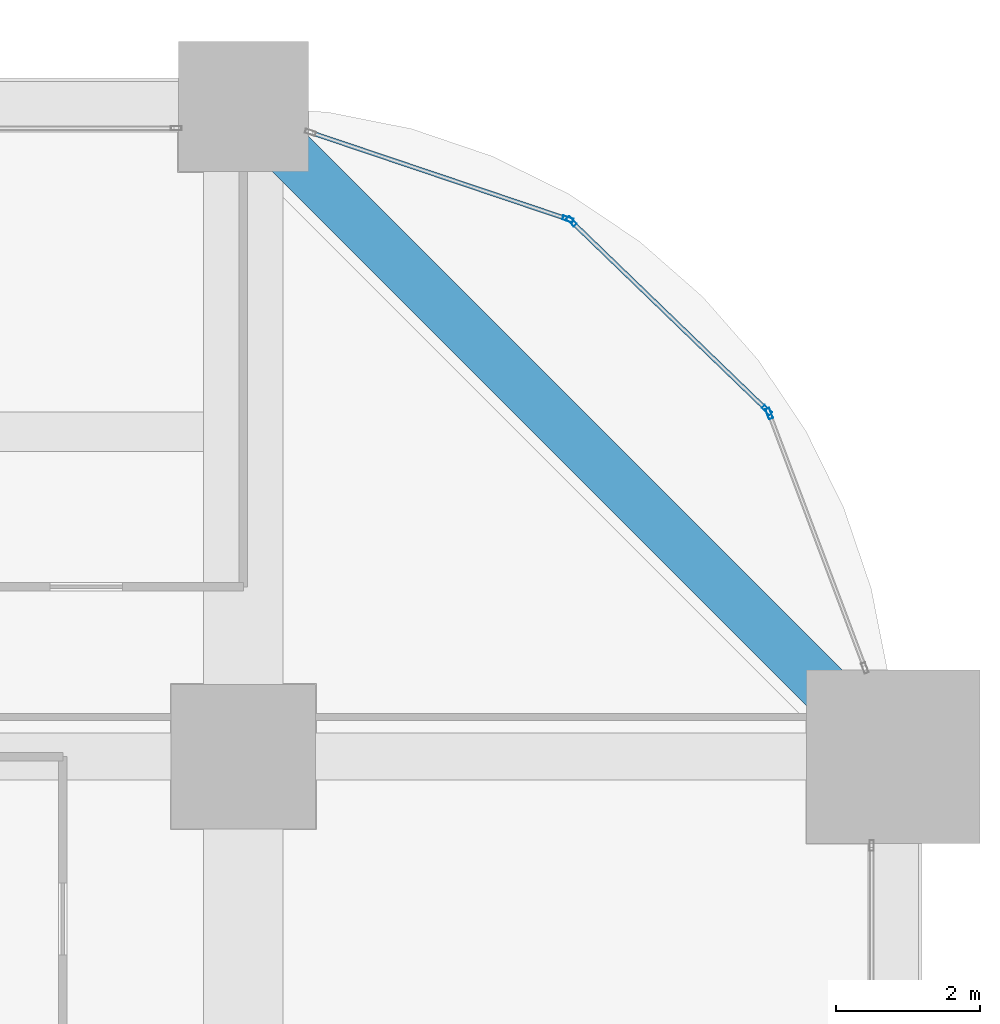
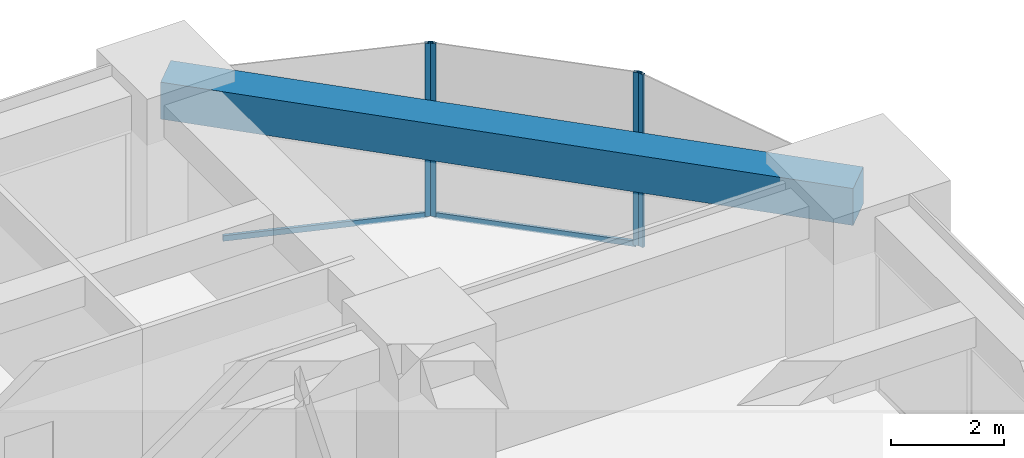
# One storey, part 34 of 40: 6 members, 1 beam, 3 elements without a shape of their own.
"""IFC4 building model written with IfcOpenShell, lengths in metres."""

import ifcopenshell
import ifcopenshell.guid

model = None  # the IFC model being written
_history = None  # IfcOwnerHistory: only IFC2X3 demands one
_inside = {}  # id of a spatial element -> (the spatial element, [elements in it])
_under = {}  # id of a project, library or spatial element -> (it, [spatial elements below it])
_declared = {}  # id of a project -> (the project, [libraries it declares])
_typed = {}  # id of a type object -> (the type object, [elements of that type])
_made_of = {}  # id of a material, layer set ... -> (it, [elements and type objects made of it])


def new_model(schema):
    """Start an empty IFC model of exactly this schema.

    Asked for "IFC4X3", IfcOpenShell would pick the latest addendum, in which some entities
    have other attributes; the version numbers below select the first issue.
    IFC2X3 requires an IfcOwnerHistory on every rooted entity: one is made here for all.
    """
    global model, _history
    if schema == "IFC4X3":
        model = ifcopenshell.file(schema_version=(4, 3, 0, 0))
    else:
        model = ifcopenshell.file(schema=schema)
    _inside.clear()
    _under.clear()
    _declared.clear()
    _typed.clear()
    _made_of.clear()
    _history = None
    if model.schema == "IFC2X3":
        org = make("IfcOrganization", Name="unknown")
        user = make(
            "IfcPersonAndOrganization",
            ThePerson=make("IfcPerson", FamilyName="unknown"),
            TheOrganization=org,
        )
        app = make(
            "IfcApplication",
            ApplicationDeveloper=org,
            Version="unknown",
            ApplicationFullName="unknown",
            ApplicationIdentifier="unknown",
        )
        _history = make(
            "IfcOwnerHistory",
            OwningUser=user,
            OwningApplication=app,
            ChangeAction="ADDED",
            CreationDate=0,
        )
    return model


def make(cls, **values):
    """One entity of the class cls with the attributes given. An attribute that is None is left unset."""
    return model.create_entity(
        cls, **{name: value for name, value in values.items() if value is not None}
    )


def rooted(cls, **values):
    """An entity with a GlobalId (a new one), such as an element, a storey or a relation."""
    return make(cls, GlobalId=ifcopenshell.guid.new(), OwnerHistory=_history, **values)


def si_unit(unit_type, name, prefix=None):
    """IfcSIUnit, for example si_unit("LENGTHUNIT", "METRE", prefix="MILLI")."""
    return make("IfcSIUnit", UnitType=unit_type, Prefix=prefix, Name=name)


def assignment(units):
    """IfcUnitAssignment: the units of a project."""
    return None if units is None else make("IfcUnitAssignment", Units=units)


def point(xyz):
    """IfcCartesianPoint."""
    return None if xyz is None else make("IfcCartesianPoint", Coordinates=xyz)


def direction(xyz):
    """IfcDirection."""
    return None if xyz is None else make("IfcDirection", DirectionRatios=xyz)


def frame(location, z_axis=None, x_axis=None):
    """IfcAxis2Placement3D, a coordinate frame: its origin and axes. An axis left out is left unset."""
    return make(
        "IfcAxis2Placement3D",
        Location=point(location),
        Axis=direction(z_axis),
        RefDirection=direction(x_axis),
    )


def frame_2d(location, x_axis=None):
    """IfcAxis2Placement2D, a coordinate frame in the plane: its origin and x axis."""
    return make(
        "IfcAxis2Placement2D", Location=point(location), RefDirection=direction(x_axis)
    )


def origin():
    """The frame at (0, 0, 0) with its axes left unset."""
    return frame((0.0, 0.0, 0.0))


def origin_2d():
    """The frame at (0, 0) in the plane with its x axis left unset."""
    return frame_2d((0.0, 0.0))


def place(relative_to, where):
    """IfcLocalPlacement: puts the frame where relative to a parent placement (None: the world)."""
    return make(
        "IfcLocalPlacement", PlacementRelTo=relative_to, RelativePlacement=where
    )


def context(
    kind, dimensions, precision=None, world=None, true_north=None, identifier=None
):
    """IfcGeometricRepresentationContext, for example the 3D "Model" context."""
    return make(
        "IfcGeometricRepresentationContext",
        ContextIdentifier=identifier,
        ContextType=kind,
        CoordinateSpaceDimension=dimensions,
        Precision=precision,
        WorldCoordinateSystem=world,
        TrueNorth=true_north,
    )


def subcontext(parent, identifier, kind, view, scale=None):
    """IfcGeometricRepresentationSubContext, for example "Body" below "Model"."""
    return make(
        "IfcGeometricRepresentationSubContext",
        ContextIdentifier=identifier,
        ContextType=kind,
        ParentContext=parent,
        TargetScale=scale,
        TargetView=view,
    )


def project(units=None, contexts=None):
    """IfcProject with its units and contexts."""
    return rooted(
        "IfcProject",
        Name="project",
        RepresentationContexts=contexts,
        UnitsInContext=assignment(units),
    )


def spatial(cls, under=None, at=None, **own):
    """A site, building, storey or space (cls), placed at a placement, below another one or the project."""
    s = rooted(cls, ObjectPlacement=at, **own)
    if under is not None:
        _under.setdefault(under.id(), (under, []))[1].append(s)
    return s


def profile(cls, at=None, kind="AREA", **sizes):
    """A parametric profile (cls). Its sizes go by their IFC names, for example OverallWidth=200.0."""
    return make(cls, ProfileType=kind, Position=at, **sizes)


def rectangle(**sizes):
    """IfcRectangleProfileDef."""
    return profile("IfcRectangleProfileDef", **sizes)


def hollow_rectangle(**sizes):
    """IfcRectangleHollowProfileDef."""
    return profile("IfcRectangleHollowProfileDef", **sizes)


def extrude(swept, where, along, depth):
    """IfcExtrudedAreaSolid: the profile swept, set in the frame where, extruded along a direction by depth."""
    return make(
        "IfcExtrudedAreaSolid",
        SweptArea=swept,
        Position=where,
        ExtrudedDirection=direction(along),
        Depth=depth,
    )


def shape(context_of_items, identifier, shape_type, items):
    """IfcShapeRepresentation: the items that make up one representation, for example the "Body"."""
    return make(
        "IfcShapeRepresentation",
        ContextOfItems=context_of_items,
        RepresentationIdentifier=identifier,
        RepresentationType=shape_type,
        Items=items,
    )


def material(Name=None, Category=None):
    """IfcMaterial."""
    return make("IfcMaterial", Name=Name, Category=Category)


def material_profile(
    of_material, cross_section, Name=None, Category=None, Priority=None
):
    """IfcMaterialProfile: a cross section and its material."""
    return make(
        "IfcMaterialProfile",
        Name=Name,
        Material=of_material,
        Profile=cross_section,
        Priority=Priority,
        Category=Category,
    )


def profile_set(profiles, Name=None, composite=None):
    """IfcMaterialProfileSet."""
    return make(
        "IfcMaterialProfileSet",
        Name=Name,
        MaterialProfiles=profiles,
        CompositeProfile=composite,
    )


def made_of(thing, what):
    """Note that an element or type object is made of a material, layer set ...; save() writes the relation."""
    if what is not None:
        _made_of.setdefault(what.id(), (what, []))[1].append(thing)
    return thing


def type_object(cls, material=None, **own):
    """A type object (cls), such as IfcWallType, which elements share."""
    return made_of(rooted(cls, **own), material)


def element(
    cls,
    number,
    at=None,
    inside=None,
    cuts=None,
    type_object=None,
    material=None,
    context=None,
    identifier="Body",
    shape_type=None,
    held_by="IfcProductDefinitionShape",
    body=None,
    shapes=None,
    **own,
):
    """One element of the class cls, such as IfcWall. Its Tag is "e" and its number.

    at: its placement. inside: the storey or other place that contains it. cuts: it is an
    opening in that element (IfcRelVoidsElement). A single representation is given by context,
    identifier, shape_type and body (its items); several are given by shapes. held_by: the class
    of the entity that holds the representations. save() writes the other relations.
    """
    e = rooted(cls, Tag="e%d" % number, ObjectPlacement=at, **own)
    if body is not None:
        shapes = [shape(context, identifier, shape_type, body)]
    if shapes is not None:
        e.Representation = make(held_by, Representations=shapes)
    if inside is not None:
        _inside.setdefault(inside.id(), (inside, []))[1].append(e)
    if cuts is not None:
        rooted(
            "IfcRelVoidsElement", RelatingBuildingElement=cuts, RelatedOpeningElement=e
        )
    if type_object is not None:
        _typed.setdefault(type_object.id(), (type_object, []))[1].append(e)
    return made_of(e, material)


def aggregate(whole, parts):
    """IfcRelAggregates: a whole, such as a stair, and the parts it consists of."""
    return rooted("IfcRelAggregates", RelatingObject=whole, RelatedObjects=parts)


def save(model, path):
    """Write the relations noted so far, then the file.

    IfcRelAggregates (storeys below a building ...), IfcRelContainedInSpatialStructure (elements
    in a storey), IfcRelDefinesByType, IfcRelAssociatesMaterial and IfcRelDeclares: one each for
    every whole, place, type object, material and project.
    """
    for whole, parts in _under.values():
        aggregate(whole, parts)
    for where, things in _inside.values():
        rooted(
            "IfcRelContainedInSpatialStructure",
            RelatedElements=things,
            RelatingStructure=where,
        )
    for kind, things in _typed.values():
        rooted("IfcRelDefinesByType", RelatedObjects=things, RelatingType=kind)
    for what, things in _made_of.values():
        rooted("IfcRelAssociatesMaterial", RelatedObjects=things, RelatingMaterial=what)
    for by, libraries in _declared.values():
        rooted("IfcRelDeclares", RelatingContext=by, RelatedDefinitions=libraries)
    model.write(path)


model = new_model("IFC4")

# Units and contexts
model_context = context("Model", 3, precision=1e-05, world=origin(), true_north=direction((0.0, 1.0)))
body_context = subcontext(model_context, "Body", "Model", "MODEL_VIEW")
ifc_project = project(units=[si_unit("LENGTHUNIT", "METRE"), si_unit("AREAUNIT", "SQUARE_METRE"), si_unit("VOLUMEUNIT", "CUBIC_METRE"), si_unit("PLANEANGLEUNIT", "RADIAN"), si_unit("MASSUNIT", "GRAM", prefix="KILO")], contexts=[model_context])

# Site, building, storey
site_placement = place(None, origin())
site = spatial("IfcSite", under=ifc_project, at=site_placement, CompositionType="ELEMENT")
building_placement = place(site_placement, origin())
building = spatial("IfcBuilding", under=site, at=building_placement, Name="Zorevar Civic Tower", CompositionType="ELEMENT")
storey_placement = place(building_placement, frame((0.0, 0.0, 93.0)))
storey = spatial("IfcBuildingStorey", under=building, at=storey_placement, Name="L22", CompositionType="ELEMENT", Elevation=93.0)

# Curtain wall, member
ifc_material_1 = material(Name="Dark grey solar-control glass in black aluminium frame", Category="aluminium")
curtain_wall_type = type_object("IfcCurtainWallType", Name="Curtain wall CW3 mid zone", PredefinedType="NOTDEFINED", material=ifc_material_1)
curtain_wall_1_placement = place(storey_placement, origin())
curtain_wall_1 = element("IfcCurtainWall", 1, at=curtain_wall_1_placement, inside=storey, type_object=curtain_wall_type, Name="CW3 L22", PredefinedType="NOTDEFINED")
ifc_material_2 = material(Name="Aluminium, black anodised", Category="aluminium")
ifc_material_profile_1 = material_profile(ifc_material_2, hollow_rectangle(XDim=0.06005859375, YDim=0.14990234375, WallThickness=0.00390625, at=origin_2d()), Name="AL 150x60x4")
ifc_profile_set_1 = profile_set([ifc_material_profile_1], Name="Aluminium, black anodised")
member_type_1 = type_object("IfcMemberType", Name="CW3 mullion AL 150x60x4", PredefinedType="MULLION", material=ifc_profile_set_1)
member_1_placement = place(storey_placement, frame((61.281494140625, 40.749267578125, 0.0), z_axis=(0.0, 0.0, 1.0), x_axis=(-0.935950528564, -0.352131520999, 0.0)))
member_1 = element("IfcMember", 2, at=member_1_placement, type_object=member_type_1, Name="CW3 mullion 2", PredefinedType="MULLION", context=body_context, shape_type="SweptSolid", body=[
    extrude(hollow_rectangle(XDim=0.06005859375, YDim=0.14990234375, WallThickness=0.00390625, at=origin_2d()), origin(), (0.0, 0.0, 1.0), 3.75),
])
aggregate(curtain_wall_1, [member_1])

# Curtain wall, members
curtain_wall_2_placement = place(storey_placement, origin())
curtain_wall_2 = element("IfcCurtainWall", 3, at=curtain_wall_2_placement, inside=storey, type_object=curtain_wall_type, Name="CW3 L22", PredefinedType="NOTDEFINED")
member_2_placement = place(storey_placement, frame((61.249267578125, 40.798095703125, 0.0), z_axis=(0.0, 0.0, 1.0), x_axis=(-0.694719089155, -0.719281160023, 0.0)))
member_2 = element("IfcMember", 4, at=member_2_placement, type_object=member_type_1, Name="CW3 mullion 1", PredefinedType="MULLION", context=body_context, shape_type="SweptSolid", body=[
    extrude(hollow_rectangle(XDim=0.06005859375, YDim=0.14990234375, WallThickness=0.00390625, at=origin_2d()), origin(), (0.0, 0.0, 1.0), 3.75),
])
member_3_placement = place(storey_placement, frame((58.54345703125, 43.41162109375, 0.0), z_axis=(0.0, 0.0, 1.0), x_axis=(-0.694719089155, -0.719281160023, 0.0)))
member_3 = element("IfcMember", 5, at=member_3_placement, type_object=member_type_1, Name="CW3 mullion 2", PredefinedType="MULLION", context=body_context, shape_type="SweptSolid", body=[
    extrude(hollow_rectangle(XDim=0.06005859375, YDim=0.14990234375, WallThickness=0.00390625, at=origin_2d()), origin(), (0.0, 0.0, 1.0), 3.75),
])

# Curtain wall, member
curtain_wall_3_placement = place(storey_placement, origin())
curtain_wall_3 = element("IfcCurtainWall", 6, at=curtain_wall_3_placement, inside=storey, type_object=curtain_wall_type, Name="CW3 L22", PredefinedType="NOTDEFINED")
member_4_placement = place(storey_placement, frame((58.493408203125, 43.442138671875, 0.0), z_axis=(0.0, 0.0, 1.0), x_axis=(-0.319412525043, -0.947615765406, 0.0)))
member_4 = element("IfcMember", 7, at=member_4_placement, type_object=member_type_1, Name="CW3 mullion 1", PredefinedType="MULLION", context=body_context, shape_type="SweptSolid", body=[
    extrude(hollow_rectangle(XDim=0.06005859375, YDim=0.14990234375, WallThickness=0.00390625, at=origin_2d()), origin(), (0.0, 0.0, 1.0), 3.75),
])

# Member
ifc_material_3 = material(Name="Aluminium, black anodised", Category="aluminium")
ifc_material_profile_2 = material_profile(ifc_material_3, hollow_rectangle(XDim=0.06005859375, YDim=0.1201171875, WallThickness=0.0029296875, at=origin_2d()), Name="AL 120x60x3")
ifc_profile_set_2 = profile_set([ifc_material_profile_2], Name="Aluminium, black anodised")
member_type_2 = type_object("IfcMemberType", Name="CW3 transom AL 120x60x3", PredefinedType="USERDEFINED", material=ifc_profile_set_2)
member_5_placement = place(storey_placement, frame((61.227783203125, 40.81884765625, 0.030029296875), z_axis=(-0.719266228526, 0.694734548228, 0.0), x_axis=(-0.694734548228, -0.719266228526, 0.0)))
member_5 = element("IfcMember", 8, at=member_5_placement, type_object=member_type_2, Name="CW3 sill transom", ObjectType="TRANSOM", PredefinedType="USERDEFINED", context=body_context, shape_type="SweptSolid", body=[
    extrude(hollow_rectangle(XDim=0.06005859375, YDim=0.1201171875, WallThickness=0.0029296875, at=origin_2d()), origin(), (0.0, 0.0, 1.0), 3.7021484375),
])

aggregate(curtain_wall_2, [member_2, member_3, member_5])

member_6_placement = place(storey_placement, frame((58.465087890625, 43.45166015625, 0.030029296875), z_axis=(-0.9476295577, 0.319371603893, 0.0), x_axis=(-0.319371603893, -0.9476295577, 0.0)))
member_6 = element("IfcMember", 9, at=member_6_placement, type_object=member_type_2, Name="CW3 sill transom", ObjectType="TRANSOM", PredefinedType="USERDEFINED", context=body_context, shape_type="SweptSolid", body=[
    extrude(hollow_rectangle(XDim=0.06005859375, YDim=0.1201171875, WallThickness=0.0029296875, at=origin_2d()), origin(), (0.0, 0.0, 1.0), 3.7021484375),
])

aggregate(curtain_wall_3, [member_4, member_6])

# Beam
ifc_material_4 = material(Name="Concrete C50/60", Category="concrete")
ifc_material_profile_3 = material_profile(ifc_material_4, rectangle(XDim=0.699951171875, YDim=0.800048828125, at=origin_2d()), Name="RC 700x800")
ifc_profile_set_3 = profile_set([ifc_material_profile_3], Name="Concrete C50/60")
beam_type = type_object("IfcBeamType", Name="Edge beam RC 700x800", PredefinedType="SPANDREL", material=ifc_profile_set_3)
beam_placement = place(storey_placement, frame((63.0, 36.0, 3.35009765625), z_axis=(-0.707106781187, 0.707106781187, 0.0), x_axis=(-0.707106781187, -0.707106781187, 0.0)))
element("IfcBeam", 10, at=beam_placement, inside=storey, type_object=beam_type, Name="Corner edge beam L23", PredefinedType="SPANDREL", context=body_context, shape_type="SweptSolid", body=[
    extrude(rectangle(XDim=0.699951171875, YDim=0.800048828125, at=origin_2d()), origin(), (0.0, 0.0, 1.0), 12.72802734375),
])

save(model, "model.ifc")
